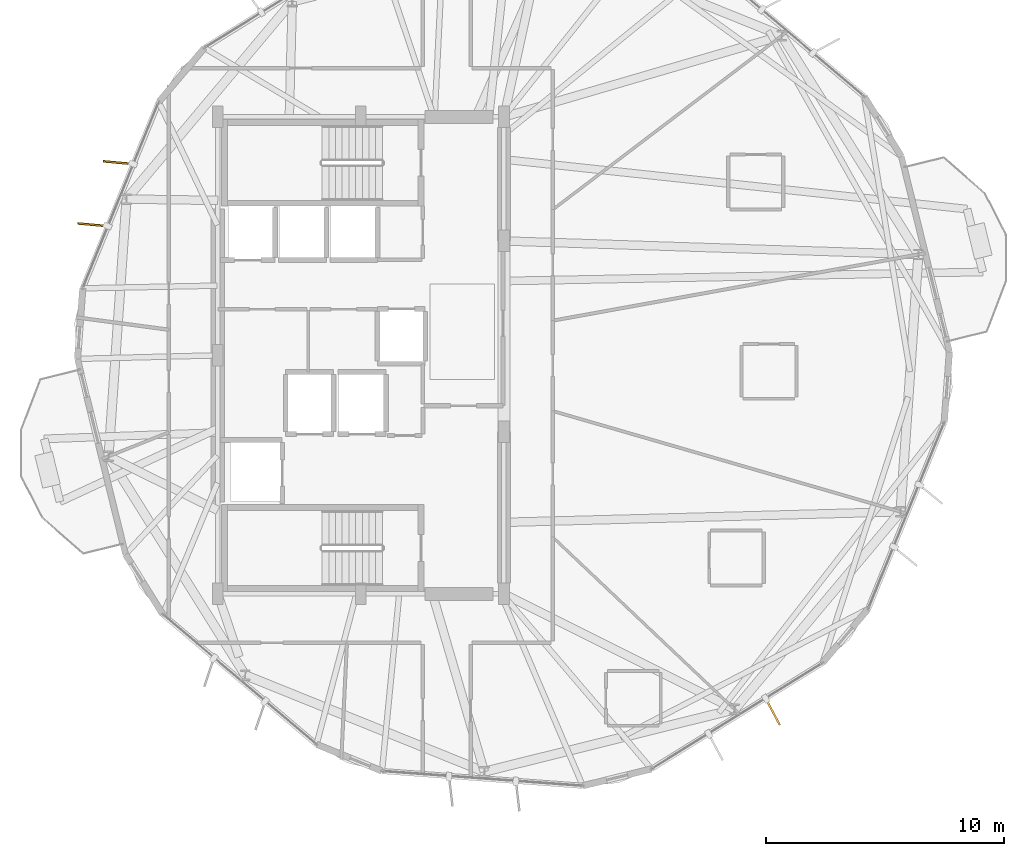
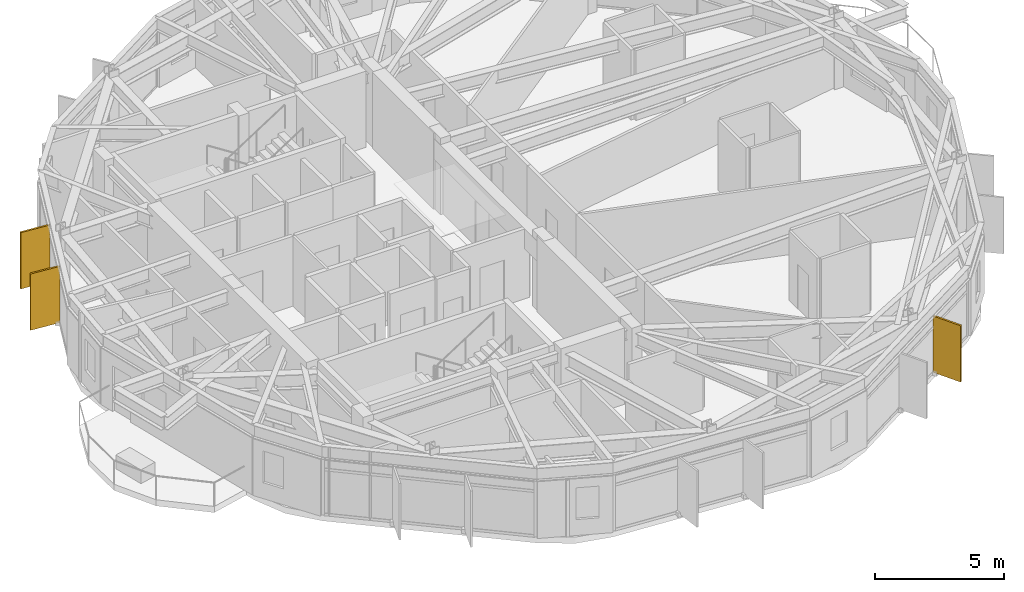
# One storey, part 19 of 21: 3 shading devices.
"""IFC4 building model written with IfcOpenShell, lengths in metres."""

from ifc_helpers import new_model, si_unit, direction, frame, origin, origin_2d, place, context, subcontext, project, spatial, rectangle, extrude, material, layer, layer_set, type_object, element, save


model = new_model("IFC4")

# Units and contexts
model_context = context("Model", 3, precision=1e-05, world=origin(), true_north=direction((0.0, 1.0)))
body_context = subcontext(model_context, "Body", "Model", "MODEL_VIEW")
ifc_project = project(units=[si_unit("LENGTHUNIT", "METRE"), si_unit("AREAUNIT", "SQUARE_METRE"), si_unit("VOLUMEUNIT", "CUBIC_METRE"), si_unit("PLANEANGLEUNIT", "RADIAN"), si_unit("MASSUNIT", "GRAM", prefix="KILO")], contexts=[model_context])

# Site, building, storey
site_placement = place(None, origin())
site = spatial("IfcSite", under=ifc_project, at=site_placement, CompositionType="ELEMENT")
building_placement = place(site_placement, origin())
building = spatial("IfcBuilding", under=site, at=building_placement, Name="Soratama Intermodal Tower", CompositionType="ELEMENT")
storey_placement = place(building_placement, frame((0.0, 0.0, 153.39990234375)))
storey = spatial("IfcBuildingStorey", under=building, at=storey_placement, Name="L37", CompositionType="ELEMENT", Elevation=153.39990234375)

# Shading devices
ifc_material = material(Name="Champagne anodised aluminium solar fin", Category="aluminium")
ifc_layer = layer(ifc_material, 0.080078125)
ifc_layer_set = layer_set([ifc_layer], Name="Champagne anodised aluminium solar fin")
shading_device_type = type_object("IfcShadingDeviceType", Name="SH-FIN-1250", PredefinedType="USERDEFINED", material=ifc_layer_set)
for number, where, z_axis, x_axis, name in (
    (1, (28.41943359375, 33.08251953125, 0.02001953125), (0.0, 0.0, 1.0), (-0.995836806996, 0.091154011602, 0.0), "L37 Solar Fin F04-1"),
    (2, (27.356201171875, 30.4775390625, 0.02001953125), (0.0, 0.0, 1.0), (-0.995836806996, 0.091154011602, 0.0), "L37 Solar Fin F04-2"),
    (3, (55.87255859375, 10.0537109375, 0.02001953125), (0.0, 0.0, 1.0), (0.470241901057, -0.882537565484, 0.0), "L37 Solar Fin F08-2"),
):
    element("IfcShadingDevice", number, at=place(storey_placement, frame(where, z_axis=z_axis, x_axis=x_axis)), inside=storey, type_object=shading_device_type, Name=name, ObjectType="FIN", PredefinedType="USERDEFINED", context=body_context, shape_type="SweptSolid", body=[
        extrude(rectangle(XDim=1.25, YDim=0.080078125, at=origin_2d()), origin(), (0.0, 0.0, 1.0), 2.658935546875),
    ])

save(model, "model.ifc")
